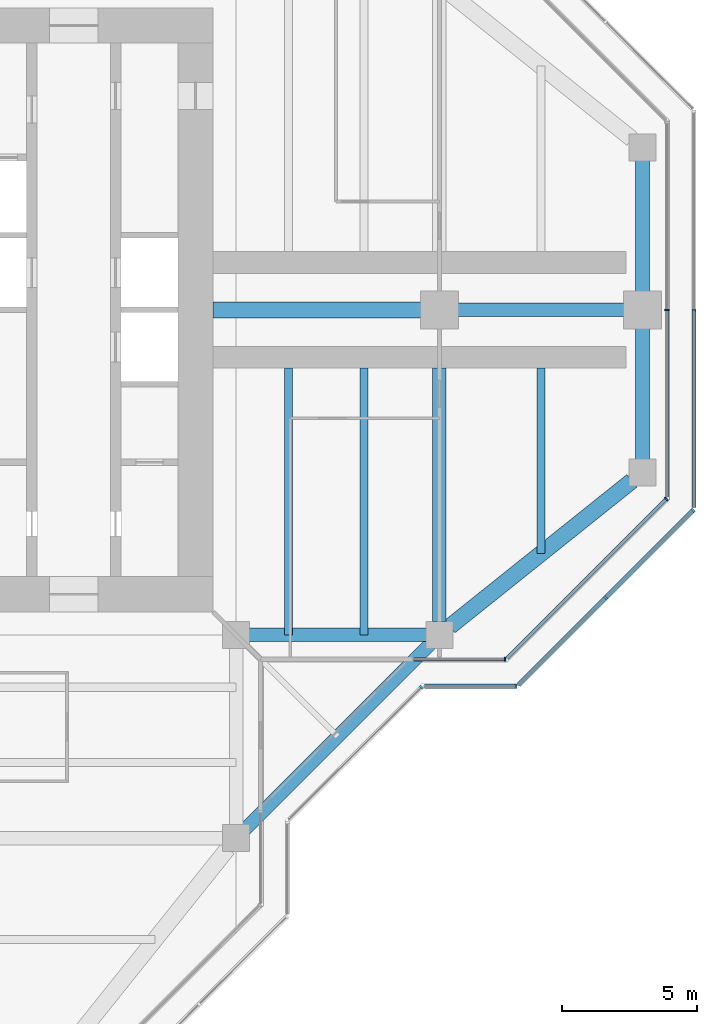
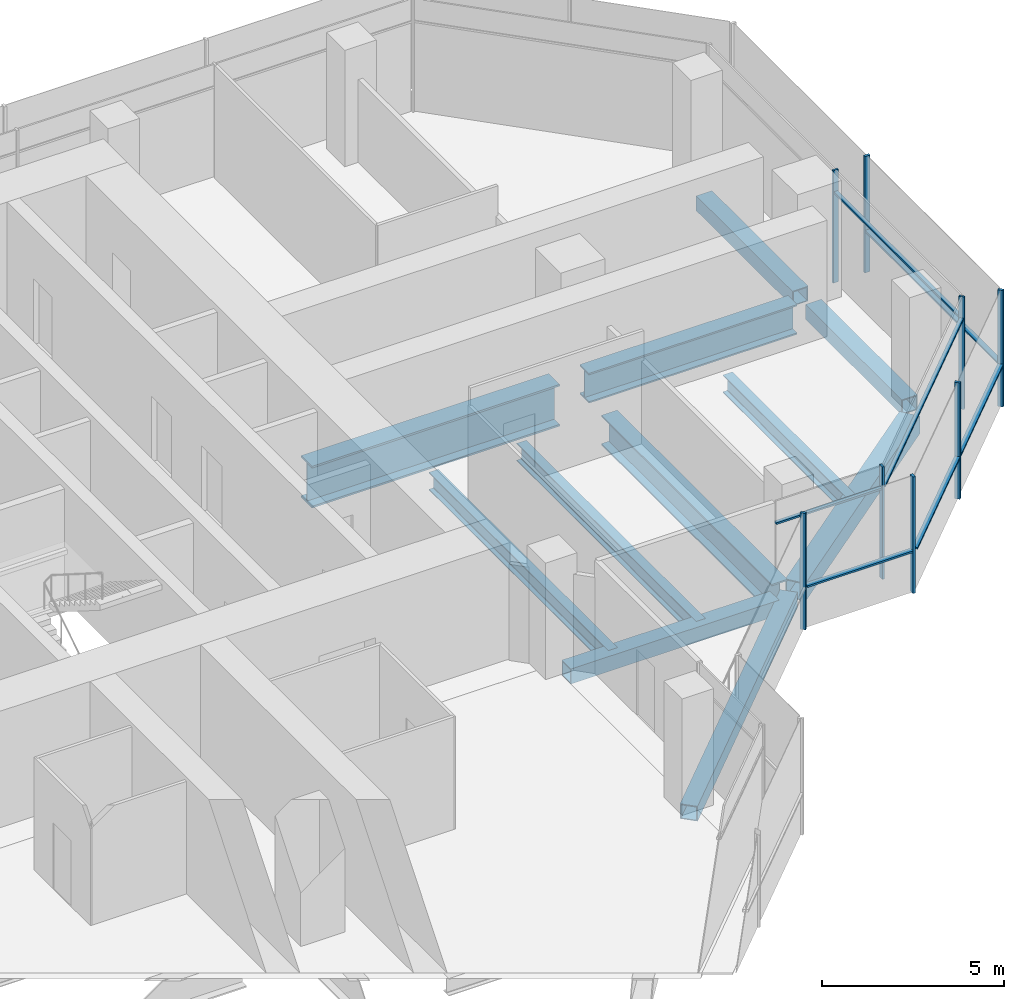
# One storey, part 5 of 15: 15 members, 11 beams, 7 elements without a shape of their own.
"""IFC4 building model written with IfcOpenShell, lengths in metres."""

from ifc_helpers import new_model, si_unit, direction, frame, origin, origin_2d, place, context, subcontext, project, spatial, rectangle, hollow_rectangle, i_section, extrude, material, material_profile, profile_set, type_object, element, aggregate, save


model = new_model("IFC4")

# Units and contexts
model_context = context("Model", 3, precision=1e-05, world=origin(), true_north=direction((0.0, 1.0)))
body_context = subcontext(model_context, "Body", "Model", "MODEL_VIEW")
ifc_project = project(units=[si_unit("LENGTHUNIT", "METRE"), si_unit("AREAUNIT", "SQUARE_METRE"), si_unit("VOLUMEUNIT", "CUBIC_METRE"), si_unit("PLANEANGLEUNIT", "RADIAN"), si_unit("MASSUNIT", "GRAM", prefix="KILO")], contexts=[model_context])

# Site, building, storey
site_placement = place(None, origin())
site = spatial("IfcSite", under=ifc_project, at=site_placement, CompositionType="ELEMENT")
building_placement = place(site_placement, origin())
building = spatial("IfcBuilding", under=site, at=building_placement, Name="Mizan Broadcast Tower", CompositionType="ELEMENT")
storey_placement = place(building_placement, frame((0.0, 0.0, 275.10009765625)))
storey = spatial("IfcBuildingStorey", under=building, at=storey_placement, Name="L65", CompositionType="ELEMENT", Elevation=275.10009765625)

# Beams
ifc_material_1 = material(Name="Steel S355", Category="steel")
ifc_material_profile_1 = material_profile(ifc_material_1, hollow_rectangle(XDim=0.5, YDim=0.5, WallThickness=0.030029296875, at=origin_2d()), Name="BOX 500x500x30")
ifc_profile_set_1 = profile_set([ifc_material_profile_1], Name="Steel S355")
beam_type_1 = type_object("IfcBeamType", Name="EDGE BEAM BOX 500x500x30", PredefinedType="SPANDREL", material=ifc_profile_set_1)
beam_1_placement = place(storey_placement, frame((12.449951171875, -12.0, -0.380126953125), z_axis=(1.0, 0.0, 0.0), x_axis=(0.0, 1.0, 0.0)))
element("IfcBeam", 1, at=beam_1_placement, inside=storey, type_object=beam_type_1, Name="Edge beam BOX 500x500x30 L65 east arm", PredefinedType="SPANDREL", context=body_context, shape_type="SweptSolid", body=[
    extrude(hollow_rectangle(XDim=0.5, YDim=0.5, WallThickness=0.030029296875, at=origin_2d()), origin(), (0.0, 0.0, 1.0), 6.60009765625),
])
for number, where, z_axis, x_axis, name in (
    (2, (27.0, -5.639892578125, -0.380126953125), (0.0, 1.0, 0.0), (-1.0, 0.0, 0.0), "Edge beam BOX 500x500x30 L65 east arm"),
    (3, (27.0, 5.639892578125, -0.380126953125), (0.0, -1.0, 0.0), (1.0, 0.0, 0.0), "Edge beam BOX 500x500x30 L65 east arm"),
):
    element("IfcBeam", number, at=place(storey_placement, frame(where, z_axis=z_axis, x_axis=x_axis)), inside=storey, type_object=beam_type_1, Name=name, PredefinedType="SPANDREL", context=body_context, shape_type="SweptSolid", body=[
        extrude(hollow_rectangle(XDim=0.5, YDim=0.5, WallThickness=0.030029296875, at=origin_2d()), origin(), (0.0, 0.0, 1.0), 5.27978515625),
    ])
beam_2_placement = place(storey_placement, frame((12.0, -19.5, -0.380126953125), z_axis=(0.707106781187, 0.707106781187, 0.0), x_axis=(-0.707106781187, 0.707106781187, 0.0)))
element("IfcBeam", 4, at=beam_2_placement, inside=storey, type_object=beam_type_1, Name="Winter garden edge beam L65 S", PredefinedType="SPANDREL", context=body_context, shape_type="SweptSolid", body=[
    extrude(hollow_rectangle(XDim=0.5, YDim=0.5, WallThickness=0.030029296875, at=origin_2d()), origin(), (0.0, 0.0, 1.0), 10.606689453125),
])
ifc_material_2 = material(Name="Steel S355", Category="steel")
ifc_material_profile_2 = material_profile(ifc_material_2, hollow_rectangle(XDim=0.60009765625, YDim=0.60009765625, WallThickness=0.030029296875, at=origin_2d()), Name="BOX 600x600x30")
ifc_profile_set_2 = profile_set([ifc_material_profile_2], Name="Steel S355")
beam_type_2 = type_object("IfcBeamType", Name="EDGE BEAM BOX 600x600x30", PredefinedType="SPANDREL", material=ifc_profile_set_2)
beam_3_placement = place(storey_placement, frame((19.890380859375, -11.687744140625, -0.43017578125), z_axis=(0.780863273348, 0.62470196761, 0.0), x_axis=(-0.62470196761, 0.780863273348, 0.0)))
element("IfcBeam", 5, at=beam_3_placement, inside=storey, type_object=beam_type_2, Name="Edge beam BOX 600x600x30 L65 east arm", PredefinedType="SPANDREL", context=body_context, shape_type="SweptSolid", body=[
    extrude(hollow_rectangle(XDim=0.60009765625, YDim=0.60009765625, WallThickness=0.030029296875, at=origin_2d()), origin(), (0.0, 0.0, 1.0), 8.60498046875),
])
ifc_material_3 = material(Name="Steel S460", Category="steel")
ifc_material_profile_3 = material_profile(ifc_material_3, i_section(OverallWidth=0.5, OverallDepth=1.0, WebThickness=0.02490234375, FlangeThickness=0.050048828125, at=origin_2d()), Name="WPG 1000x500")
ifc_profile_set_3 = profile_set([ifc_material_profile_3], Name="Steel S460")
beam_type_3 = type_object("IfcBeamType", Name="GIRDER WPG 1000x500", PredefinedType="BEAM", material=ifc_profile_set_3)
beam_4_placement = place(storey_placement, frame((19.949951171875, 0.0, -0.630126953125), z_axis=(1.0, 0.0, 0.0), x_axis=(0.0, 1.0, 0.0)))
element("IfcBeam", 6, at=beam_4_placement, inside=storey, type_object=beam_type_3, Name="Girder WPG 1000x500 L65 east arm", PredefinedType="BEAM", context=body_context, shape_type="SweptSolid", body=[
    extrude(i_section(OverallWidth=0.5, OverallDepth=1.0, WebThickness=0.02490234375, FlangeThickness=0.050048828125, at=origin_2d()), origin(), (0.0, 0.0, 1.0), 6.60009765625),
])
beam_5_placement = place(storey_placement, frame((19.5, -11.5, -0.630126953125), z_axis=(0.0, 1.0, 0.0), x_axis=(-1.0, 0.0, 0.0)))
element("IfcBeam", 7, at=beam_5_placement, inside=storey, type_object=beam_type_3, Name="Girder WPG 1000x500 L65 east arm", PredefinedType="BEAM", context=body_context, shape_type="SweptSolid", body=[
    extrude(i_section(OverallWidth=0.5, OverallDepth=1.0, WebThickness=0.02490234375, FlangeThickness=0.050048828125, at=origin_2d()), origin(), (0.0, 0.0, 1.0), 9.35009765625),
])
ifc_material_4 = material(Name="Steel S460", Category="steel")
ifc_material_profile_4 = material_profile(ifc_material_4, i_section(OverallWidth=0.60009765625, OverallDepth=1.39990234375, WebThickness=0.02490234375, FlangeThickness=0.06005859375, at=origin_2d()), Name="WPG 1400x600")
ifc_profile_set_4 = profile_set([ifc_material_profile_4], Name="Steel S460")
beam_type_4 = type_object("IfcBeamType", Name="GIRDER WPG 1400x600", PredefinedType="BEAM", material=ifc_profile_set_4)
beam_6_placement = place(storey_placement, frame((11.14990234375, 0.0, -0.830078125), z_axis=(1.0, 0.0, 0.0), x_axis=(0.0, 1.0, 0.0)))
element("IfcBeam", 8, at=beam_6_placement, inside=storey, type_object=beam_type_4, Name="Girder WPG 1400x600 L65 east arm", PredefinedType="BEAM", context=body_context, shape_type="SweptSolid", body=[
    extrude(i_section(OverallWidth=0.60009765625, OverallDepth=1.39990234375, WebThickness=0.02490234375, FlangeThickness=0.06005859375, at=origin_2d()), origin(), (0.0, 0.0, 1.0), 7.84912109375),
])

# Curtain wall, member
ifc_material_5 = material(Name="Aluminium framed glazing", Category="aluminium")
curtain_wall_type_1 = type_object("IfcCurtainWallType", Name="INNER SKIN TOP ZONE", PredefinedType="USERDEFINED", material=ifc_material_5)
curtain_wall_1_placement = place(storey_placement, origin())
curtain_wall_1 = element("IfcCurtainWall", 9, at=curtain_wall_1_placement, inside=storey, type_object=curtain_wall_type_1, Name="Inner skin top zone L65 E side", ObjectType="INNER SKIN TOP ZONE", PredefinedType="USERDEFINED")
ifc_material_6 = material(Name="Aluminium, pale anodised", Category="aluminium")
ifc_material_profile_5 = material_profile(ifc_material_6, rectangle(XDim=0.159912109375, YDim=0.06005859375, at=origin_2d()), Name="MULLION 160x60")
ifc_profile_set_5 = profile_set([ifc_material_profile_5], Name="Aluminium, pale anodised")
member_type_1 = type_object("IfcMemberType", Name="INNER SKIN MULLION 60x160", PredefinedType="MULLION", material=ifc_profile_set_5)
member_1_placement = place(storey_placement, frame((21.928466796875, -12.89990234375, 0.0), z_axis=(0.0, 0.0, 1.0), x_axis=(0.0, 1.0, 0.0)))
member_1 = element("IfcMember", 10, at=member_1_placement, type_object=member_type_1, Name="Inner skin top zone L65 E side mullion 2", PredefinedType="MULLION", context=body_context, shape_type="SweptSolid", body=[
    extrude(rectangle(XDim=0.159912109375, YDim=0.06005859375, at=origin_2d()), origin(), (0.0, 0.0, 1.0), 3.77001953125),
])

curtain_wall_2_placement = place(storey_placement, origin())
curtain_wall_2 = element("IfcCurtainWall", 11, at=curtain_wall_2_placement, inside=storey, type_object=curtain_wall_type_1, Name="Inner skin top zone L65 E chamfer", ObjectType="INNER SKIN TOP ZONE", PredefinedType="USERDEFINED")
member_2_placement = place(storey_placement, frame((27.87890625, -6.979736328125, 0.0), z_axis=(0.0, 0.0, 1.0), x_axis=(-0.707106781187, 0.707106781187, 0.0)))
member_2 = element("IfcMember", 12, at=member_2_placement, type_object=member_type_1, Name="Inner skin top zone L65 E chamfer mullion 2", PredefinedType="MULLION", context=body_context, shape_type="SweptSolid", body=[
    extrude(rectangle(XDim=0.159912109375, YDim=0.06005859375, at=origin_2d()), origin(), (0.0, 0.0, 1.0), 3.77001953125),
])

curtain_wall_3_placement = place(storey_placement, origin())
curtain_wall_3 = element("IfcCurtainWall", 13, at=curtain_wall_3_placement, inside=storey, type_object=curtain_wall_type_1, Name="Inner skin top zone L65 E end", ObjectType="INNER SKIN TOP ZONE", PredefinedType="USERDEFINED")
member_3_placement = place(storey_placement, frame((27.89990234375, 0.0, 0.0), z_axis=(0.0, 0.0, 1.0), x_axis=(-1.0, 0.0, 0.0)))
member_3 = element("IfcMember", 14, at=member_3_placement, type_object=member_type_1, Name="Inner skin top zone L65 E end mullion 2", PredefinedType="MULLION", context=body_context, shape_type="SweptSolid", body=[
    extrude(rectangle(XDim=0.159912109375, YDim=0.06005859375, at=origin_2d()), origin(), (0.0, 0.0, 1.0), 3.77001953125),
])

# Member
ifc_material_7 = material(Name="Aluminium, pale anodised", Category="aluminium")
ifc_material_profile_6 = material_profile(ifc_material_7, rectangle(XDim=0.1201171875, YDim=0.06005859375, at=origin_2d()), Name="TRANSOM 120x60")
ifc_profile_set_6 = profile_set([ifc_material_profile_6], Name="Aluminium, pale anodised")
member_type_2 = type_object("IfcMemberType", Name="INNER SKIN TRANSOM 60x120", PredefinedType="USERDEFINED", material=ifc_profile_set_6)
member_4_placement = place(storey_placement, frame((18.56005859375, -12.89990234375, 3.02978515625), z_axis=(1.0, 0.0, 0.0), x_axis=(0.0, 1.0, 0.0)))
member_4 = element("IfcMember", 15, at=member_4_placement, type_object=member_type_2, Name="Inner skin top zone L65 E side transom 1.1", ObjectType="TRANSOM", PredefinedType="USERDEFINED", context=body_context, shape_type="SweptSolid", body=[
    extrude(rectangle(XDim=0.1201171875, YDim=0.06005859375, at=origin_2d()), origin(), (0.0, 0.0, 1.0), 3.338623046875),
])

aggregate(curtain_wall_1, [member_1, member_4])

member_5_placement = place(storey_placement, frame((22.0009765625, -12.857666015625, 3.02978515625), z_axis=(0.707106781187, 0.707106781187, 0.0), x_axis=(-0.707106781187, 0.707106781187, 0.0)))
member_5 = element("IfcMember", 16, at=member_5_placement, type_object=member_type_2, Name="Inner skin top zone L65 E chamfer transom 1.1", ObjectType="TRANSOM", PredefinedType="USERDEFINED", context=body_context, shape_type="SweptSolid", body=[
    extrude(rectangle(XDim=0.1201171875, YDim=0.06005859375, at=origin_2d()), origin(), (0.0, 0.0, 1.0), 8.28271484375),
])

aggregate(curtain_wall_2, [member_2, member_5])

member_6_placement = place(storey_placement, frame((27.89990234375, -6.898681640625, 3.02978515625), z_axis=(0.0, 1.0, 0.0), x_axis=(-1.0, 0.0, 0.0)))
member_6 = element("IfcMember", 17, at=member_6_placement, type_object=member_type_2, Name="Inner skin top zone L65 E end transom 1.1", ObjectType="TRANSOM", PredefinedType="USERDEFINED", context=body_context, shape_type="SweptSolid", body=[
    extrude(rectangle(XDim=0.1201171875, YDim=0.06005859375, at=origin_2d()), origin(), (0.0, 0.0, 1.0), 6.86865234375),
])

aggregate(curtain_wall_3, [member_3, member_6])

# Curtain wall, member
ifc_material_8 = material(Name="Aluminium framed glazing", Category="aluminium")
curtain_wall_type_2 = type_object("IfcCurtainWallType", Name="OUTER SKIN", PredefinedType="USERDEFINED", material=ifc_material_8)
curtain_wall_4_placement = place(storey_placement, origin())
curtain_wall_4 = element("IfcCurtainWall", 18, at=curtain_wall_4_placement, inside=storey, type_object=curtain_wall_type_2, Name="Outer skin L65 E chamfer", ObjectType="OUTER SKIN", PredefinedType="USERDEFINED")
ifc_material_9 = material(Name="Aluminium, pale anodised", Category="aluminium")
ifc_material_profile_7 = material_profile(ifc_material_9, rectangle(XDim=0.159912109375, YDim=0.080078125, at=origin_2d()), Name="MULLION 160x80")
ifc_profile_set_7 = profile_set([ifc_material_profile_7], Name="Aluminium, pale anodised")
member_type_3 = type_object("IfcMemberType", Name="OUTER SKIN MULLION 80x160", PredefinedType="MULLION", material=ifc_profile_set_7)
member_7_placement = place(storey_placement, frame((18.844482421875, -13.92822265625, 0.0), z_axis=(0.0, 0.0, 1.0), x_axis=(-0.707106781187, 0.707106781187, 0.0)))
member_7 = element("IfcMember", 19, at=member_7_placement, type_object=member_type_3, Name="Outer skin L65 E chamfer mullion 2", PredefinedType="MULLION", context=body_context, shape_type="SweptSolid", body=[
    extrude(rectangle(XDim=0.159912109375, YDim=0.080078125, at=origin_2d()), origin(), (0.0, 0.0, 1.0), 3.89990234375),
])
aggregate(curtain_wall_4, [member_7])

curtain_wall_5_placement = place(storey_placement, origin())
curtain_wall_5 = element("IfcCurtainWall", 20, at=curtain_wall_5_placement, inside=storey, type_object=curtain_wall_type_2, Name="Outer skin L65 E side", ObjectType="OUTER SKIN", PredefinedType="USERDEFINED")
member_8_placement = place(storey_placement, frame((22.332763671875, -13.89990234375, 0.0), z_axis=(0.0, 0.0, 1.0), x_axis=(0.0, 1.0, 0.0)))
member_8 = element("IfcMember", 21, at=member_8_placement, type_object=member_type_3, Name="Outer skin L65 E side mullion 2", PredefinedType="MULLION", context=body_context, shape_type="SweptSolid", body=[
    extrude(rectangle(XDim=0.159912109375, YDim=0.080078125, at=origin_2d()), origin(), (0.0, 0.0, 1.0), 3.89990234375),
])

# Curtain wall, members
curtain_wall_6_placement = place(storey_placement, origin())
curtain_wall_6 = element("IfcCurtainWall", 22, at=curtain_wall_6_placement, inside=storey, type_object=curtain_wall_type_2, Name="Outer skin L65 E chamfer", ObjectType="OUTER SKIN", PredefinedType="USERDEFINED")
member_9_placement = place(storey_placement, frame((25.636474609375, -10.636474609375, 0.0), z_axis=(0.0, 0.0, 1.0), x_axis=(-0.707106781187, 0.707106781187, 0.0)))
member_9 = element("IfcMember", 23, at=member_9_placement, type_object=member_type_3, Name="Outer skin L65 E chamfer mullion 2", PredefinedType="MULLION", context=body_context, shape_type="SweptSolid", body=[
    extrude(rectangle(XDim=0.159912109375, YDim=0.080078125, at=origin_2d()), origin(), (0.0, 0.0, 1.0), 3.89990234375),
])
member_10_placement = place(storey_placement, frame((28.871826171875, -7.401123046875, 0.0), z_axis=(0.0, 0.0, 1.0), x_axis=(-0.707106781187, 0.707106781187, 0.0)))
member_10 = element("IfcMember", 24, at=member_10_placement, type_object=member_type_3, Name="Outer skin L65 E chamfer mullion 3", PredefinedType="MULLION", context=body_context, shape_type="SweptSolid", body=[
    extrude(rectangle(XDim=0.159912109375, YDim=0.080078125, at=origin_2d()), origin(), (0.0, 0.0, 1.0), 3.89990234375),
])

# Curtain wall, member
curtain_wall_7_placement = place(storey_placement, origin())
curtain_wall_7 = element("IfcCurtainWall", 25, at=curtain_wall_7_placement, inside=storey, type_object=curtain_wall_type_2, Name="Outer skin L65 E end", ObjectType="OUTER SKIN", PredefinedType="USERDEFINED")
member_11_placement = place(storey_placement, frame((28.89990234375, 0.0, 0.0), z_axis=(0.0, 0.0, 1.0), x_axis=(-1.0, 0.0, 0.0)))
member_11 = element("IfcMember", 26, at=member_11_placement, type_object=member_type_3, Name="Outer skin L65 E end mullion 2", PredefinedType="MULLION", context=body_context, shape_type="SweptSolid", body=[
    extrude(rectangle(XDim=0.159912109375, YDim=0.080078125, at=origin_2d()), origin(), (0.0, 0.0, 1.0), 3.89990234375),
])

# Member
ifc_material_10 = material(Name="Aluminium, pale anodised", Category="aluminium")
ifc_material_profile_8 = material_profile(ifc_material_10, rectangle(XDim=0.159912109375, YDim=0.06005859375, at=origin_2d()), Name="TRANSOM 160x60")
ifc_profile_set_8 = profile_set([ifc_material_profile_8], Name="Aluminium, pale anodised")
member_type_4 = type_object("IfcMemberType", Name="OUTER SKIN TRANSOM 60x160", PredefinedType="USERDEFINED", material=ifc_profile_set_8)
member_12_placement = place(storey_placement, frame((18.952880859375, -13.89990234375, 1.39990234375), z_axis=(1.0, 0.0, 0.0), x_axis=(0.0, 1.0, 0.0)))
member_12 = element("IfcMember", 27, at=member_12_placement, type_object=member_type_4, Name="Outer skin L65 E side transom 1.1", ObjectType="TRANSOM", PredefinedType="USERDEFINED", context=body_context, shape_type="SweptSolid", body=[
    extrude(rectangle(XDim=0.159912109375, YDim=0.06005859375, at=origin_2d()), origin(), (0.0, 0.0, 1.0), 3.33984375),
])

aggregate(curtain_wall_5, [member_8, member_12])

member_13_placement = place(storey_placement, frame((22.429443359375, -13.843505859375, 1.39990234375), z_axis=(0.707106781187, 0.707106781187, 0.0), x_axis=(-0.707106781187, 0.707106781187, 0.0)))
member_13 = element("IfcMember", 28, at=member_13_placement, type_object=member_type_4, Name="Outer skin L65 E chamfer transom 1.1", ObjectType="TRANSOM", PredefinedType="USERDEFINED", context=body_context, shape_type="SweptSolid", body=[
    extrude(rectangle(XDim=0.159912109375, YDim=0.06005859375, at=origin_2d()), origin(), (0.0, 0.0, 1.0), 4.495361328125),
])

member_14_placement = place(storey_placement, frame((25.664794921875, -10.608154296875, 1.39990234375), z_axis=(0.707106781187, 0.707106781187, 0.0), x_axis=(-0.707106781187, 0.707106781187, 0.0)))
member_14 = element("IfcMember", 29, at=member_14_placement, type_object=member_type_4, Name="Outer skin L65 E chamfer transom 2.1", ObjectType="TRANSOM", PredefinedType="USERDEFINED", context=body_context, shape_type="SweptSolid", body=[
    extrude(rectangle(XDim=0.159912109375, YDim=0.06005859375, at=origin_2d()), origin(), (0.0, 0.0, 1.0), 4.495361328125),
])

aggregate(curtain_wall_6, [member_9, member_10, member_13, member_14])

member_15_placement = place(storey_placement, frame((28.89990234375, -7.292724609375, 1.39990234375), z_axis=(0.0, 1.0, 0.0), x_axis=(-1.0, 0.0, 0.0)))
member_15 = element("IfcMember", 30, at=member_15_placement, type_object=member_type_4, Name="Outer skin L65 E end transom 1.1", ObjectType="TRANSOM", PredefinedType="USERDEFINED", context=body_context, shape_type="SweptSolid", body=[
    extrude(rectangle(XDim=0.159912109375, YDim=0.06005859375, at=origin_2d()), origin(), (0.0, 0.0, 1.0), 7.252685546875),
])

aggregate(curtain_wall_7, [member_11, member_15])

# Beams
ifc_material_11 = material(Name="Steel S355", Category="steel")
ifc_material_profile_9 = material_profile(ifc_material_11, i_section(OverallWidth=0.300048828125, OverallDepth=0.590087890625, WebThickness=0.012939453125, FlangeThickness=0.02490234375, FilletRadius=0.027099609375, at=origin_2d()), Name="HEA 600")
ifc_profile_set_9 = profile_set([ifc_material_profile_9], Name="Steel S355")
beam_type_5 = type_object("IfcBeamType", Name="SECONDARY BEAM HEA 600", PredefinedType="JOIST", material=ifc_profile_set_9)
for number, where, z_axis, x_axis, name in (
    (31, (13.933349609375, -12.0, -0.425048828125), (0.0, 1.0, 0.0), (-1.0, 0.0, 0.0), "Secondary beam HEA 600 L65 east arm"),
    (32, (16.716552734375, -12.0, -0.425048828125), (0.0, 1.0, 0.0), (-1.0, 0.0, 0.0), "Secondary beam HEA 600 L65 east arm"),
):
    element("IfcBeam", number, at=place(storey_placement, frame(where, z_axis=z_axis, x_axis=x_axis)), inside=storey, type_object=beam_type_5, Name=name, PredefinedType="JOIST", context=body_context, shape_type="SweptSolid", body=[
        extrude(i_section(OverallWidth=0.300048828125, OverallDepth=0.590087890625, WebThickness=0.012939453125, FlangeThickness=0.02490234375, FilletRadius=0.027099609375, at=origin_2d()), origin(), (0.0, 0.0, 1.0), 9.85009765625),
    ])
beam_7_placement = place(storey_placement, frame((23.25, -9.0, -0.425048828125), z_axis=(0.0, 1.0, 0.0), x_axis=(-1.0, 0.0, 0.0)))
element("IfcBeam", 33, at=beam_7_placement, inside=storey, type_object=beam_type_5, Name="Secondary beam HEA 600 L65 east arm", PredefinedType="JOIST", context=body_context, shape_type="SweptSolid", body=[
    extrude(i_section(OverallWidth=0.300048828125, OverallDepth=0.590087890625, WebThickness=0.012939453125, FlangeThickness=0.02490234375, FilletRadius=0.027099609375, at=origin_2d()), origin(), (0.0, 0.0, 1.0), 6.85009765625),
])

save(model, "model.ifc")
